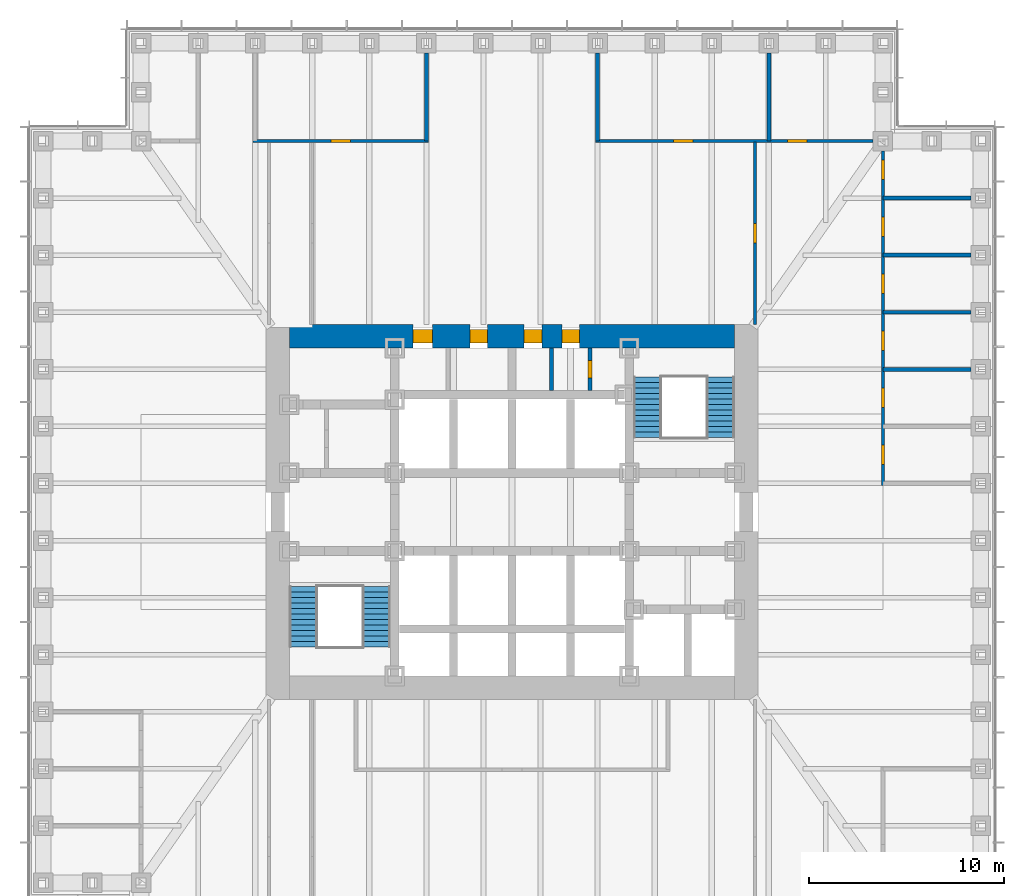
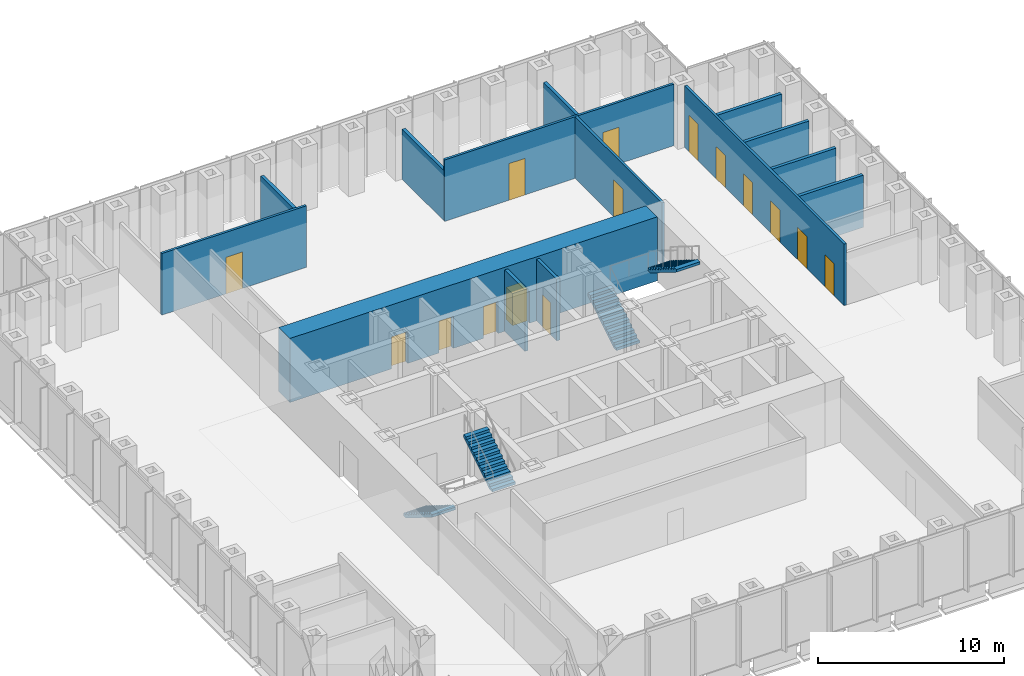
# One storey, part 10 of 16: 15 doors, 14 walls, 4 stair flights, 15 openings, 2 elements without a shape of their own.
"""IFC4 building model written with IfcOpenShell, lengths in metres."""

from ifc_helpers import new_model, si_unit, direction, frame, frame_2d, origin, place, context, subcontext, project, spatial, polyline, rectangle, outline, extrude, material, layer, layer_set, type_object, element, fill, aggregate, save


model = new_model("IFC4")

# Units and contexts
model_context = context("Model", 3, precision=1e-05, world=origin(), true_north=direction((0.0, 1.0)))
body_context = subcontext(model_context, "Body", "Model", "MODEL_VIEW")
ifc_project = project(units=[si_unit("LENGTHUNIT", "METRE"), si_unit("AREAUNIT", "SQUARE_METRE"), si_unit("VOLUMEUNIT", "CUBIC_METRE"), si_unit("PLANEANGLEUNIT", "RADIAN"), si_unit("MASSUNIT", "GRAM", prefix="KILO")], contexts=[model_context])

# Site, building, storey
site_placement = place(None, origin())
site = spatial("IfcSite", under=ifc_project, at=site_placement, CompositionType="ELEMENT")
building_placement = place(site_placement, origin())
building = spatial("IfcBuilding", under=site, at=building_placement, Name="Daluyong Arena Tower", CompositionType="ELEMENT")
storey_placement = place(building_placement, frame((0.0, 0.0, 51.699951171875)))
storey = spatial("IfcBuildingStorey", under=building, at=storey_placement, Name="L10", CompositionType="ELEMENT", Elevation=51.699951171875)

# Wall, openings, doors
ifc_material_1 = material(Name="Concrete fc' 60 MPa", Category="concrete")
ifc_layer_1 = layer(ifc_material_1, 1.199951171875)
ifc_layer_set_1 = layer_set([ifc_layer_1], Name="Concrete fc' 60 MPa")
wall_type_1 = type_object("IfcWallType", Name="Core wall 1200", PredefinedType="SHEAR", material=ifc_layer_set_1)
wall_1_placement = place(storey_placement, frame((44.60009765625, 89.0, 0.0), z_axis=(0.0, 0.0, 1.0), x_axis=(1.0, 0.0, 0.0)))
wall_1 = element("IfcWall", 1, at=wall_1_placement, inside=storey, type_object=wall_type_1, Name="core wall at L10", PredefinedType="SHEAR", context=body_context, shape_type="SweptSolid", body=[
    extrude(rectangle(XDim=22.7998046875, YDim=1.199951171875, at=frame_2d((11.39990234375, 0.0))), origin(), (0.0, 0.0, 1.0), 4.199951171875),
])
opening_1_placement = place(wall_1_placement, frame((6.324951171875, 0.0, 0.0)))
opening_1 = element("IfcOpeningElement", 2, at=opening_1_placement, cuts=wall_1, Name="Opening 10004", PredefinedType="OPENING", context=body_context, shape_type="SweptSolid", body=[
    extrude(rectangle(XDim=1.0, YDim=2.10009765625, at=frame_2d((0.5, 1.050048828125))), frame((0.0, 0.60986328125, 0.0), z_axis=(0.0, -1.0, 0.0), x_axis=(1.0, 0.0, 0.0)), (0.0, 0.0, 1.0), 1.219970703125),
])
opening_2_placement = place(wall_1_placement, frame((9.25, 0.0, 0.0)))
opening_2 = element("IfcOpeningElement", 3, at=opening_2_placement, cuts=wall_1, Name="Opening 10005", PredefinedType="OPENING", context=body_context, shape_type="SweptSolid", body=[
    extrude(rectangle(XDim=0.89990234375, YDim=2.10009765625, at=frame_2d((0.449951171875, 1.050048828125))), frame((0.0, 0.60986328125, 0.0), z_axis=(0.0, -1.0, 0.0), x_axis=(1.0, 0.0, 0.0)), (0.0, 0.0, 1.0), 1.219970703125),
])
opening_3_placement = place(wall_1_placement, frame((12.02490234375, 0.0, 0.0)))
opening_3 = element("IfcOpeningElement", 4, at=opening_3_placement, cuts=wall_1, Name="Opening 10006", PredefinedType="OPENING", context=body_context, shape_type="SweptSolid", body=[
    extrude(rectangle(XDim=0.89990234375, YDim=2.10009765625, at=frame_2d((0.449951171875, 1.050048828125))), frame((0.0, 0.60986328125, 0.0), z_axis=(0.0, -1.0, 0.0), x_axis=(1.0, 0.0, 0.0)), (0.0, 0.0, 1.0), 1.219970703125),
])
opening_4_placement = place(wall_1_placement, frame((13.96240234375, 0.0, 0.0)))
opening_4 = element("IfcOpeningElement", 5, at=opening_4_placement, cuts=wall_1, Name="Opening 10007", PredefinedType="OPENING", context=body_context, shape_type="SweptSolid", body=[
    extrude(rectangle(XDim=0.89990234375, YDim=2.10009765625, at=frame_2d((0.449951171875, 1.050048828125))), frame((0.0, 0.60986328125, 0.0), z_axis=(0.0, -1.0, 0.0), x_axis=(1.0, 0.0, 0.0)), (0.0, 0.0, 1.0), 1.219970703125),
])
ifc_material_2 = material(Name="Timber door", Category="wood")
door_type_1 = type_object("IfcDoorType", Name="Accessible toilet door 1000", OperationType="SINGLE_SWING_LEFT", PredefinedType="DOOR", material=ifc_material_2)
door_1_placement = place(opening_1_placement, origin())
door_1 = element("IfcDoor", 6, at=door_1_placement, inside=storey, type_object=door_type_1, Name="accessible toilet door 10004", OperationType="SINGLE_SWING_LEFT", OverallHeight=2.10009765625, OverallWidth=1.0, PredefinedType="DOOR", context=body_context, shape_type="SweptSolid", body=[
    extrude(rectangle(XDim=1.0, YDim=2.10009765625, at=frame_2d((0.5, 1.050048828125))), frame((0.0, 0.35009765625, 0.0), z_axis=(0.0, -1.0, 0.0), x_axis=(1.0, 0.0, 0.0)), (0.0, 0.0, 1.0), 0.699951171875),
])
fill(opening_1, door_1)
ifc_material_3 = material(Name="Steel door, fire rated", Category="steel")
door_type_2 = type_object("IfcDoorType", Name="Core room door 900", OperationType="SINGLE_SWING_LEFT", PredefinedType="DOOR", material=ifc_material_3)
door_2_placement = place(opening_2_placement, origin())
door_2 = element("IfcDoor", 7, at=door_2_placement, inside=storey, type_object=door_type_2, Name="parcel room door 10005", OperationType="SINGLE_SWING_LEFT", OverallHeight=2.10009765625, OverallWidth=0.89990234375, PredefinedType="DOOR", context=body_context, shape_type="SweptSolid", body=[
    extrude(rectangle(XDim=0.89990234375, YDim=2.10009765625, at=frame_2d((0.449951171875, 1.050048828125))), frame((0.0, 0.35009765625, 0.0), z_axis=(0.0, -1.0, 0.0), x_axis=(1.0, 0.0, 0.0)), (0.0, 0.0, 1.0), 0.699951171875),
])
fill(opening_2, door_2)
door_3_placement = place(opening_4_placement, origin())
door_3 = element("IfcDoor", 8, at=door_3_placement, inside=storey, type_object=door_type_2, Name="staff pantry door 10007", OperationType="SINGLE_SWING_LEFT", OverallHeight=2.10009765625, OverallWidth=0.89990234375, PredefinedType="DOOR", context=body_context, shape_type="SweptSolid", body=[
    extrude(rectangle(XDim=0.89990234375, YDim=2.10009765625, at=frame_2d((0.449951171875, 1.050048828125))), frame((0.0, 0.35009765625, 0.0), z_axis=(0.0, -1.0, 0.0), x_axis=(1.0, 0.0, 0.0)), (0.0, 0.0, 1.0), 0.699951171875),
])
fill(opening_4, door_3)
ifc_material_4 = material(Name="Steel door, fire rated", Category="steel")
door_type_3 = type_object("IfcDoorType", Name="Core store door 900", OperationType="SINGLE_SWING_LEFT", PredefinedType="DOOR", material=ifc_material_4)
door_4_placement = place(opening_3_placement, origin())
door_4 = element("IfcDoor", 9, at=door_4_placement, inside=storey, type_object=door_type_3, Name="facilities store door 10006", OperationType="SINGLE_SWING_LEFT", OverallHeight=2.10009765625, OverallWidth=0.89990234375, PredefinedType="DOOR", context=body_context, shape_type="SweptSolid", body=[
    extrude(rectangle(XDim=0.89990234375, YDim=2.10009765625, at=frame_2d((0.449951171875, 1.050048828125))), frame((0.0, 0.35009765625, 0.0), z_axis=(0.0, -1.0, 0.0), x_axis=(1.0, 0.0, 0.0)), (0.0, 0.0, 1.0), 0.699951171875),
])
fill(opening_3, door_4)

# Wall, opening, door
ifc_material_5 = material(Name="Concrete block partition, fire rated", Category="concrete")
ifc_layer_2 = layer(ifc_material_5, 0.199951171875)
ifc_layer_set_2 = layer_set([ifc_layer_2], Name="Concrete block partition, fire rated")
wall_type_2 = type_object("IfcWallType", Name="Fire-rated partition 200", PredefinedType="PARTITIONING", material=ifc_layer_set_2)
wall_2_placement = place(storey_placement, frame((60.0, 86.22509765625, 0.0), z_axis=(0.0, 0.0, 1.0), x_axis=(0.0, 1.0, 0.0)))
wall_2 = element("IfcWall", 10, at=wall_2_placement, inside=storey, type_object=wall_type_2, Name="electrical riser enclosure at L10", PredefinedType="PARTITIONING", context=body_context, shape_type="SweptSolid", body=[
    extrude(rectangle(XDim=2.1748046875, YDim=0.199951171875, at=frame_2d((1.08740234375, 0.0))), origin(), (0.0, 0.0, 1.0), 4.0400390625),
])
opening_5_placement = place(wall_2_placement, frame((0.637451171875, 0.0, 0.0)))
opening_5 = element("IfcOpeningElement", 11, at=opening_5_placement, cuts=wall_2, Name="Opening 10008", PredefinedType="OPENING", context=body_context, shape_type="SweptSolid", body=[
    extrude(rectangle(XDim=0.89990234375, YDim=2.10009765625, at=frame_2d((0.449951171875, 1.050048828125))), frame((0.0, 0.10986328125, 0.0), z_axis=(0.0, -1.0, 0.0), x_axis=(1.0, 0.0, 0.0)), (0.0, 0.0, 1.0), 0.219970703125),
])
ifc_material_6 = material(Name="Steel door, fire rated", Category="steel")
door_type_4 = type_object("IfcDoorType", Name="Riser door 900", OperationType="SINGLE_SWING_LEFT", PredefinedType="DOOR", material=ifc_material_6)
door_5_placement = place(opening_5_placement, origin())
door_5 = element("IfcDoor", 12, at=door_5_placement, inside=storey, type_object=door_type_4, Name="riser door 10008", OperationType="SINGLE_SWING_LEFT", OverallHeight=2.10009765625, OverallWidth=0.89990234375, PredefinedType="DOOR", context=body_context, shape_type="SweptSolid", body=[
    extrude(rectangle(XDim=0.89990234375, YDim=2.10009765625, at=frame_2d((0.449951171875, 1.050048828125))), frame((0.0, 0.099609375, 0.0), z_axis=(0.0, -1.0, 0.0), x_axis=(1.0, 0.0, 0.0)), (0.0, 0.0, 1.0), 0.199462890625),
])
fill(opening_5, door_5)

# Wall
wall_3_placement = place(storey_placement, frame((58.02490234375, 86.22509765625, 0.0), z_axis=(0.0, 0.0, 1.0), x_axis=(0.0, 1.0, 0.0)))
element("IfcWall", 13, at=wall_3_placement, inside=storey, type_object=wall_type_2, Name="core room partition at L10", PredefinedType="PARTITIONING", context=body_context, shape_type="SweptSolid", body=[
    extrude(rectangle(XDim=2.1748046875, YDim=0.199951171875, at=frame_2d((1.08740234375, 0.0))), origin(), (0.0, 0.0, 1.0), 4.0400390625),
])

# Wall, opening, door
ifc_material_7 = material(Name="Glazed aluminium partition", Category="aluminium")
ifc_layer_3 = layer(ifc_material_7, 0.14990234375)
ifc_layer_set_3 = layer_set([ifc_layer_3], Name="Glazed aluminium partition")
wall_type_3 = type_object("IfcWallType", Name="Glazed partition 150", PredefinedType="PARTITIONING", material=ifc_layer_set_3)
wall_4_placement = place(storey_placement, frame((42.74609375, 99.0, 0.0), z_axis=(0.0, 0.0, 1.0), x_axis=(1.0, 0.0, 0.0)))
wall_4 = element("IfcWall", 14, at=wall_4_placement, inside=storey, type_object=wall_type_3, Name="glazed partition at L10", PredefinedType="PARTITIONING", context=body_context, shape_type="SweptSolid", body=[
    extrude(rectangle(XDim=8.96923828125, YDim=0.14990234375, at=frame_2d((4.484619140625, 0.0))), origin(), (0.0, 0.0, 1.0), 4.0400390625),
])
opening_6_placement = place(wall_4_placement, frame((3.984619140625, 0.0, 0.0)))
opening_6 = element("IfcOpeningElement", 15, at=opening_6_placement, cuts=wall_4, Name="Opening 10030", PredefinedType="OPENING", context=body_context, shape_type="SweptSolid", body=[
    extrude(rectangle(XDim=1.0, YDim=2.39990234375, at=frame_2d((0.5, 1.199951171875))), frame((0.0, 0.0849609375, 0.0), z_axis=(0.0, -1.0, 0.0), x_axis=(1.0, 0.0, 0.0)), (0.0, 0.0, 1.0), 0.169921875),
])
ifc_material_8 = material(Name="Glazed aluminium door", Category="aluminium")
door_type_5 = type_object("IfcDoorType", Name="Meeting room glazed door 1000", OperationType="SINGLE_SWING_RIGHT", PredefinedType="DOOR", material=ifc_material_8)
door_6_placement = place(opening_6_placement, origin())
door_6 = element("IfcDoor", 16, at=door_6_placement, inside=storey, type_object=door_type_5, Name="meeting room door 10030", OperationType="SINGLE_SWING_RIGHT", OverallHeight=2.39990234375, OverallWidth=1.0, PredefinedType="DOOR", context=body_context, shape_type="SweptSolid", body=[
    extrude(rectangle(XDim=1.0, YDim=2.39990234375, at=frame_2d((0.5, 1.199951171875))), frame((0.0, 0.07470703125, 0.0), z_axis=(0.0, -1.0, 0.0), x_axis=(1.0, 0.0, 0.0)), (0.0, 0.0, 1.0), 0.1494140625),
])
fill(opening_6, door_6)

# Wall, openings, doors
wall_5_placement = place(storey_placement, frame((60.28466796875, 99.0, 0.0), z_axis=(0.0, 0.0, 1.0), x_axis=(1.0, 0.0, 0.0)))
wall_5 = element("IfcWall", 17, at=wall_5_placement, inside=storey, type_object=wall_type_3, Name="glazed partition at L10", PredefinedType="PARTITIONING", context=body_context, shape_type="SweptSolid", body=[
    extrude(rectangle(XDim=14.21533203125, YDim=0.14990234375, at=frame_2d((7.107666015625, 0.0))), origin(), (0.0, 0.0, 1.0), 4.0400390625),
])
opening_7_placement = place(wall_5_placement, frame((3.984619140625, 0.0, 0.0)))
opening_7 = element("IfcOpeningElement", 18, at=opening_7_placement, cuts=wall_5, Name="Opening 10031", PredefinedType="OPENING", context=body_context, shape_type="SweptSolid", body=[
    extrude(rectangle(XDim=1.0, YDim=2.39990234375, at=frame_2d((0.5, 1.199951171875))), frame((0.0, 0.0849609375, 0.0), z_axis=(0.0, -1.0, 0.0), x_axis=(1.0, 0.0, 0.0)), (0.0, 0.0, 1.0), 0.169921875),
])
opening_8_placement = place(wall_5_placement, frame((9.830810546875, 0.0, 0.0)))
opening_8 = element("IfcOpeningElement", 19, at=opening_8_placement, cuts=wall_5, Name="Opening 10032", PredefinedType="OPENING", context=body_context, shape_type="SweptSolid", body=[
    extrude(rectangle(XDim=1.0, YDim=2.39990234375, at=frame_2d((0.5, 1.199951171875))), frame((0.0, 0.0849609375, 0.0), z_axis=(0.0, -1.0, 0.0), x_axis=(1.0, 0.0, 0.0)), (0.0, 0.0, 1.0), 0.169921875),
])
door_7_placement = place(opening_7_placement, origin())
door_7 = element("IfcDoor", 20, at=door_7_placement, inside=storey, type_object=door_type_5, Name="meeting room door 10031", OperationType="SINGLE_SWING_RIGHT", OverallHeight=2.39990234375, OverallWidth=1.0, PredefinedType="DOOR", context=body_context, shape_type="SweptSolid", body=[
    extrude(rectangle(XDim=1.0, YDim=2.39990234375, at=frame_2d((0.5, 1.199951171875))), frame((0.0, 0.07470703125, 0.0), z_axis=(0.0, -1.0, 0.0), x_axis=(1.0, 0.0, 0.0)), (0.0, 0.0, 1.0), 0.1494140625),
])
fill(opening_7, door_7)
door_8_placement = place(opening_8_placement, origin())
door_8 = element("IfcDoor", 21, at=door_8_placement, inside=storey, type_object=door_type_5, Name="meeting room door 10032", OperationType="SINGLE_SWING_RIGHT", OverallHeight=2.39990234375, OverallWidth=1.0, PredefinedType="DOOR", context=body_context, shape_type="SweptSolid", body=[
    extrude(rectangle(XDim=1.0, YDim=2.39990234375, at=frame_2d((0.5, 1.199951171875))), frame((0.0, 0.07470703125, 0.0), z_axis=(0.0, -1.0, 0.0), x_axis=(1.0, 0.0, 0.0)), (0.0, 0.0, 1.0), 0.1494140625),
])
fill(opening_8, door_8)

# Wall, opening, door
wall_6_placement = place(storey_placement, frame((68.449951171875, 89.60009765625, 0.0), z_axis=(0.0, 0.0, 1.0), x_axis=(0.0, 1.0, 0.0)))
wall_6 = element("IfcWall", 22, at=wall_6_placement, inside=storey, type_object=wall_type_3, Name="glazed partition at L10", PredefinedType="PARTITIONING", context=body_context, shape_type="SweptSolid", body=[
    extrude(rectangle(XDim=9.349853515625, YDim=0.14990234375, at=frame_2d((4.6748046875, 0.0))), origin(), (0.0, 0.0, 1.0), 4.0400390625),
])
opening_9_placement = place(wall_6_placement, frame((4.175048828125, 0.0, 0.0)))
opening_9 = element("IfcOpeningElement", 23, at=opening_9_placement, cuts=wall_6, Name="Opening 10040", PredefinedType="OPENING", context=body_context, shape_type="SweptSolid", body=[
    extrude(rectangle(XDim=1.0, YDim=2.39990234375, at=frame_2d((0.5, 1.199951171875))), frame((0.0, 0.0849609375, 0.0), z_axis=(0.0, -1.0, 0.0), x_axis=(1.0, 0.0, 0.0)), (0.0, 0.0, 1.0), 0.169921875),
])
door_9_placement = place(opening_9_placement, origin())
door_9 = element("IfcDoor", 24, at=door_9_placement, inside=storey, type_object=door_type_5, Name="team area screen door 10040", OperationType="SINGLE_SWING_RIGHT", OverallHeight=2.39990234375, OverallWidth=1.0, PredefinedType="DOOR", context=body_context, shape_type="SweptSolid", body=[
    extrude(rectangle(XDim=1.0, YDim=2.39990234375, at=frame_2d((0.5, 1.199951171875))), frame((0.0, 0.07470703125, 0.0), z_axis=(0.0, -1.0, 0.0), x_axis=(1.0, 0.0, 0.0)), (0.0, 0.0, 1.0), 0.1494140625),
])
fill(opening_9, door_9)

# Wall, openings, doors
wall_7_placement = place(storey_placement, frame((75.0, 81.361572265625, 0.0), z_axis=(0.0, 0.0, 1.0), x_axis=(0.0, 1.0, 0.0)))
wall_7 = element("IfcWall", 25, at=wall_7_placement, inside=storey, type_object=wall_type_3, Name="glazed partition at L10", PredefinedType="PARTITIONING", context=body_context, shape_type="SweptSolid", body=[
    extrude(rectangle(XDim=17.138427734375, YDim=0.14990234375, at=frame_2d((8.5693359375, 0.0))), origin(), (0.0, 0.0, 1.0), 4.0400390625),
])
opening_10_placement = place(wall_7_placement, frame((1.0615234375, 0.0, 0.0)))
opening_10 = element("IfcOpeningElement", 26, at=opening_10_placement, cuts=wall_7, Name="Opening 10023", PredefinedType="OPENING", context=body_context, shape_type="SweptSolid", body=[
    extrude(rectangle(XDim=1.0, YDim=2.10009765625, at=frame_2d((0.5, 1.050048828125))), frame((0.0, 0.0849609375, 0.0), z_axis=(0.0, -1.0, 0.0), x_axis=(1.0, 0.0, 0.0)), (0.0, 0.0, 1.0), 0.169921875),
])
opening_11_placement = place(wall_7_placement, frame((3.984619140625, 0.0, 0.0)))
opening_11 = element("IfcOpeningElement", 27, at=opening_11_placement, cuts=wall_7, Name="Opening 10024", PredefinedType="OPENING", context=body_context, shape_type="SweptSolid", body=[
    extrude(rectangle(XDim=1.0, YDim=2.10009765625, at=frame_2d((0.5, 1.050048828125))), frame((0.0, 0.0849609375, 0.0), z_axis=(0.0, -1.0, 0.0), x_axis=(1.0, 0.0, 0.0)), (0.0, 0.0, 1.0), 0.169921875),
])
opening_12_placement = place(wall_7_placement, frame((6.90771484375, 0.0, 0.0)))
opening_12 = element("IfcOpeningElement", 28, at=opening_12_placement, cuts=wall_7, Name="Opening 10025", PredefinedType="OPENING", context=body_context, shape_type="SweptSolid", body=[
    extrude(rectangle(XDim=1.0, YDim=2.10009765625, at=frame_2d((0.5, 1.050048828125))), frame((0.0, 0.0849609375, 0.0), z_axis=(0.0, -1.0, 0.0), x_axis=(1.0, 0.0, 0.0)), (0.0, 0.0, 1.0), 0.169921875),
])
opening_13_placement = place(wall_7_placement, frame((9.830810546875, 0.0, 0.0)))
opening_13 = element("IfcOpeningElement", 29, at=opening_13_placement, cuts=wall_7, Name="Opening 10026", PredefinedType="OPENING", context=body_context, shape_type="SweptSolid", body=[
    extrude(rectangle(XDim=1.0, YDim=2.10009765625, at=frame_2d((0.5, 1.050048828125))), frame((0.0, 0.0849609375, 0.0), z_axis=(0.0, -1.0, 0.0), x_axis=(1.0, 0.0, 0.0)), (0.0, 0.0, 1.0), 0.169921875),
])
opening_14_placement = place(wall_7_placement, frame((12.75390625, 0.0, 0.0)))
opening_14 = element("IfcOpeningElement", 30, at=opening_14_placement, cuts=wall_7, Name="Opening 10027", PredefinedType="OPENING", context=body_context, shape_type="SweptSolid", body=[
    extrude(rectangle(XDim=1.0, YDim=2.10009765625, at=frame_2d((0.5, 1.050048828125))), frame((0.0, 0.0849609375, 0.0), z_axis=(0.0, -1.0, 0.0), x_axis=(1.0, 0.0, 0.0)), (0.0, 0.0, 1.0), 0.169921875),
])
opening_15_placement = place(wall_7_placement, frame((15.677001953125, 0.0, 0.0)))
opening_15 = element("IfcOpeningElement", 31, at=opening_15_placement, cuts=wall_7, Name="Opening 10028", PredefinedType="OPENING", context=body_context, shape_type="SweptSolid", body=[
    extrude(rectangle(XDim=1.0, YDim=2.39990234375, at=frame_2d((0.5, 1.199951171875))), frame((0.0, 0.0849609375, 0.0), z_axis=(0.0, -1.0, 0.0), x_axis=(1.0, 0.0, 0.0)), (0.0, 0.0, 1.0), 0.169921875),
])
door_10_placement = place(opening_15_placement, origin())
door_10 = element("IfcDoor", 32, at=door_10_placement, inside=storey, type_object=door_type_5, Name="meeting room door 10028", OperationType="SINGLE_SWING_RIGHT", OverallHeight=2.39990234375, OverallWidth=1.0, PredefinedType="DOOR", context=body_context, shape_type="SweptSolid", body=[
    extrude(rectangle(XDim=1.0, YDim=2.39990234375, at=frame_2d((0.5, 1.199951171875))), frame((0.0, 0.07470703125, 0.0), z_axis=(0.0, -1.0, 0.0), x_axis=(1.0, 0.0, 0.0)), (0.0, 0.0, 1.0), 0.1494140625),
])
fill(opening_15, door_10)
ifc_material_9 = material(Name="Timber door", Category="wood")
door_type_6 = type_object("IfcDoorType", Name="Room door 1000", OperationType="SINGLE_SWING_LEFT", PredefinedType="DOOR", material=ifc_material_9)
door_11_placement = place(opening_10_placement, origin())
door_11 = element("IfcDoor", 33, at=door_11_placement, inside=storey, type_object=door_type_6, Name="office door 10023", OperationType="SINGLE_SWING_LEFT", OverallHeight=2.10009765625, OverallWidth=1.0, PredefinedType="DOOR", context=body_context, shape_type="SweptSolid", body=[
    extrude(rectangle(XDim=1.0, YDim=2.10009765625, at=frame_2d((0.5, 1.050048828125))), frame((0.0, 0.07470703125, 0.0), z_axis=(0.0, -1.0, 0.0), x_axis=(1.0, 0.0, 0.0)), (0.0, 0.0, 1.0), 0.1494140625),
])
fill(opening_10, door_11)
door_12_placement = place(opening_11_placement, origin())
door_12 = element("IfcDoor", 34, at=door_12_placement, inside=storey, type_object=door_type_6, Name="office door 10024", OperationType="SINGLE_SWING_LEFT", OverallHeight=2.10009765625, OverallWidth=1.0, PredefinedType="DOOR", context=body_context, shape_type="SweptSolid", body=[
    extrude(rectangle(XDim=1.0, YDim=2.10009765625, at=frame_2d((0.5, 1.050048828125))), frame((0.0, 0.07470703125, 0.0), z_axis=(0.0, -1.0, 0.0), x_axis=(1.0, 0.0, 0.0)), (0.0, 0.0, 1.0), 0.1494140625),
])
fill(opening_11, door_12)
door_13_placement = place(opening_12_placement, origin())
door_13 = element("IfcDoor", 35, at=door_13_placement, inside=storey, type_object=door_type_6, Name="office door 10025", OperationType="SINGLE_SWING_LEFT", OverallHeight=2.10009765625, OverallWidth=1.0, PredefinedType="DOOR", context=body_context, shape_type="SweptSolid", body=[
    extrude(rectangle(XDim=1.0, YDim=2.10009765625, at=frame_2d((0.5, 1.050048828125))), frame((0.0, 0.07470703125, 0.0), z_axis=(0.0, -1.0, 0.0), x_axis=(1.0, 0.0, 0.0)), (0.0, 0.0, 1.0), 0.1494140625),
])
fill(opening_12, door_13)
door_14_placement = place(opening_13_placement, origin())
door_14 = element("IfcDoor", 36, at=door_14_placement, inside=storey, type_object=door_type_6, Name="office door 10026", OperationType="SINGLE_SWING_LEFT", OverallHeight=2.10009765625, OverallWidth=1.0, PredefinedType="DOOR", context=body_context, shape_type="SweptSolid", body=[
    extrude(rectangle(XDim=1.0, YDim=2.10009765625, at=frame_2d((0.5, 1.050048828125))), frame((0.0, 0.07470703125, 0.0), z_axis=(0.0, -1.0, 0.0), x_axis=(1.0, 0.0, 0.0)), (0.0, 0.0, 1.0), 0.1494140625),
])
fill(opening_13, door_14)
door_15_placement = place(opening_14_placement, origin())
door_15 = element("IfcDoor", 37, at=door_15_placement, inside=storey, type_object=door_type_6, Name="office door 10027", OperationType="SINGLE_SWING_LEFT", OverallHeight=2.10009765625, OverallWidth=1.0, PredefinedType="DOOR", context=body_context, shape_type="SweptSolid", body=[
    extrude(rectangle(XDim=1.0, YDim=2.10009765625, at=frame_2d((0.5, 1.050048828125))), frame((0.0, 0.07470703125, 0.0), z_axis=(0.0, -1.0, 0.0), x_axis=(1.0, 0.0, 0.0)), (0.0, 0.0, 1.0), 0.1494140625),
])
fill(opening_14, door_15)

# Walls
ifc_material_10 = material(Name="Concrete block partition", Category="concrete")
ifc_layer_4 = layer(ifc_material_10, 0.199951171875)
ifc_layer_set_4 = layer_set([ifc_layer_4], Name="Concrete block partition")
wall_type_4 = type_object("IfcWallType", Name="Partition 200", PredefinedType="PARTITIONING", material=ifc_layer_set_4)
for number, where, z_axis, x_axis, name in (
    (38, (75.0, 87.3076171875, 0.0), (0.0, 0.0, 1.0), (1.0, 0.0, 0.0), "partition at L10"),
    (39, (75.0, 90.230712890625, 0.0), (0.0, 0.0, 1.0), (1.0, 0.0, 0.0), "partition at L10"),
    (40, (75.0, 93.15380859375, 0.0), (0.0, 0.0, 1.0), (1.0, 0.0, 0.0), "partition at L10"),
    (41, (75.0, 96.076904296875, 0.0), (0.0, 0.0, 1.0), (1.0, 0.0, 0.0), "partition at L10"),
):
    element("IfcWall", number, at=place(storey_placement, frame(where, z_axis=z_axis, x_axis=x_axis)), inside=storey, type_object=wall_type_4, Name=name, PredefinedType="PARTITIONING", context=body_context, shape_type="SweptSolid", body=[
        extrude(rectangle(XDim=4.5, YDim=0.199951171875, at=frame_2d((2.25, 0.0))), origin(), (0.0, 0.0, 1.0), 3.427978515625),
    ])
for number, where, z_axis, x_axis, name in (
    (42, (51.615478515625, 99.0, 0.0), (0.0, 0.0, 1.0), (0.0, 1.0, 0.0), "partition at L10"),
    (43, (60.384521484375, 99.0, 0.0), (0.0, 0.0, 1.0), (0.0, 1.0, 0.0), "partition at L10"),
    (44, (69.15380859375, 99.0, 0.0), (0.0, 0.0, 1.0), (0.0, 1.0, 0.0), "partition at L10"),
):
    element("IfcWall", number, at=place(storey_placement, frame(where, z_axis=z_axis, x_axis=x_axis)), inside=storey, type_object=wall_type_4, Name=name, PredefinedType="PARTITIONING", context=body_context, shape_type="SweptSolid", body=[
        extrude(rectangle(XDim=4.5, YDim=0.199951171875, at=frame_2d((2.25, 0.0))), origin(), (0.0, 0.0, 1.0), 3.278076171875),
    ])

# Stair, stair flights
ifc_material_11 = material(Name="Concrete fc' 35 MPa", Category="concrete")
stair_type = type_object("IfcStairType", Name="Core exit stair", PredefinedType="HALF_TURN_STAIR", material=ifc_material_11)
stair_1_placement = place(storey_placement, origin())
stair_1 = element("IfcStair", 45, at=stair_1_placement, inside=storey, type_object=stair_type, Name="exit stair A L10", PredefinedType="HALF_TURN_STAIR")
ifc_material_12 = material(Name="Concrete fc' 35 MPa", Category="concrete")
stair_flight_type = type_object("IfcStairFlightType", Name="Core stair flight", PredefinedType="STRAIGHT", material=ifc_material_12)
stair_flight_1_placement = place(storey_placement, frame((45.324951171875, 76.175048828125, 0.0), z_axis=(0.0, 0.0, 1.0), x_axis=(0.0, -1.0, 0.0)))
stair_flight_1 = element("IfcStairFlight", 46, at=stair_flight_1_placement, type_object=stair_flight_type, Name="STA flight 1", NumberOfRisers=12, NumberOfTreads=11, PredefinedType="STRAIGHT", RiserHeight=0.175, TreadLength=0.28, context=body_context, shape_type="SweptSolid", body=[
    extrude(outline(polyline([(0.0, 0.0), (0.0, 0.175048828125), (0.280029296875, 0.175048828125), (0.280029296875, 0.35009765625), (0.56005859375, 0.35009765625), (0.56005859375, 0.52490234375), (0.840087890625, 0.52490234375), (0.840087890625, 0.699951171875), (1.1201171875, 0.699951171875), (1.1201171875, 0.875), (1.39990234375, 0.875), (1.39990234375, 1.050048828125), (1.679931640625, 1.050048828125), (1.679931640625, 1.22509765625), (1.9599609375, 1.22509765625), (1.9599609375, 1.39990234375), (2.239990234375, 1.39990234375), (2.239990234375, 1.574951171875), (2.52001953125, 1.574951171875), (2.52001953125, 1.75), (2.800048828125, 1.75), (2.800048828125, 1.925048828125), (3.080078125, 1.925048828125), (3.080078125, 2.10009765625), (3.080078125, 1.748291015625), (0.28271484375, 0.0), (0.0, 0.0)])), frame((0.0, 0.72509765625, 0.0), z_axis=(0.0, -1.0, 0.0), x_axis=(1.0, 0.0, 0.0)), (0.0, 0.0, 1.0), 1.449951171875),
])
stair_flight_2_placement = place(storey_placement, frame((49.050048828125, 73.094970703125, 2.10009765625), z_axis=(0.0, 0.0, 1.0), x_axis=(0.0, 1.0, 0.0)))
stair_flight_2 = element("IfcStairFlight", 47, at=stair_flight_2_placement, type_object=stair_flight_type, Name="STA flight 2", NumberOfRisers=12, NumberOfTreads=11, PredefinedType="STRAIGHT", RiserHeight=0.175, TreadLength=0.28, context=body_context, shape_type="SweptSolid", body=[
    extrude(outline(polyline([(0.0, 0.0), (0.0, 0.175048828125), (0.280029296875, 0.175048828125), (0.280029296875, 0.35009765625), (0.56005859375, 0.35009765625), (0.56005859375, 0.52490234375), (0.840087890625, 0.52490234375), (0.840087890625, 0.699951171875), (1.1201171875, 0.699951171875), (1.1201171875, 0.875), (1.39990234375, 0.875), (1.39990234375, 1.050048828125), (1.679931640625, 1.050048828125), (1.679931640625, 1.22509765625), (1.9599609375, 1.22509765625), (1.9599609375, 1.39990234375), (2.239990234375, 1.39990234375), (2.239990234375, 1.574951171875), (2.52001953125, 1.574951171875), (2.52001953125, 1.75), (2.800048828125, 1.75), (2.800048828125, 1.925048828125), (3.080078125, 1.925048828125), (3.080078125, 2.10009765625), (3.080078125, 1.748291015625), (0.28271484375, 0.0), (0.0, 0.0)])), frame((0.0, 0.72509765625, 0.0), z_axis=(0.0, -1.0, 0.0), x_axis=(1.0, 0.0, 0.0)), (0.0, 0.0, 1.0), 1.449951171875),
])
aggregate(stair_1, [stair_flight_1, stair_flight_2])

stair_2_placement = place(storey_placement, origin())
stair_2 = element("IfcStair", 48, at=stair_2_placement, inside=storey, type_object=stair_type, Name="exit stair B L10", PredefinedType="HALF_TURN_STAIR")
stair_flight_3_placement = place(storey_placement, frame((62.949951171875, 83.824951171875, 0.0), z_axis=(0.0, 0.0, 1.0), x_axis=(0.0, 1.0, 0.0)))
stair_flight_3 = element("IfcStairFlight", 49, at=stair_flight_3_placement, type_object=stair_flight_type, Name="STB flight 1", NumberOfRisers=12, NumberOfTreads=11, PredefinedType="STRAIGHT", RiserHeight=0.175, TreadLength=0.28, context=body_context, shape_type="SweptSolid", body=[
    extrude(outline(polyline([(0.0, 0.0), (0.0, 0.175048828125), (0.280029296875, 0.175048828125), (0.280029296875, 0.35009765625), (0.56005859375, 0.35009765625), (0.56005859375, 0.52490234375), (0.840087890625, 0.52490234375), (0.840087890625, 0.699951171875), (1.1201171875, 0.699951171875), (1.1201171875, 0.875), (1.39990234375, 0.875), (1.39990234375, 1.050048828125), (1.679931640625, 1.050048828125), (1.679931640625, 1.22509765625), (1.9599609375, 1.22509765625), (1.9599609375, 1.39990234375), (2.239990234375, 1.39990234375), (2.239990234375, 1.574951171875), (2.52001953125, 1.574951171875), (2.52001953125, 1.75), (2.800048828125, 1.75), (2.800048828125, 1.925048828125), (3.080078125, 1.925048828125), (3.080078125, 2.10009765625), (3.080078125, 1.748291015625), (0.28271484375, 0.0), (0.0, 0.0)])), frame((0.0, 0.72509765625, 0.0), z_axis=(0.0, -1.0, 0.0), x_axis=(1.0, 0.0, 0.0)), (0.0, 0.0, 1.0), 1.449951171875),
])
stair_flight_4_placement = place(storey_placement, frame((66.675048828125, 86.905029296875, 2.10009765625), z_axis=(0.0, 0.0, 1.0), x_axis=(0.0, -1.0, 0.0)))
stair_flight_4 = element("IfcStairFlight", 50, at=stair_flight_4_placement, type_object=stair_flight_type, Name="STB flight 2", NumberOfRisers=12, NumberOfTreads=11, PredefinedType="STRAIGHT", RiserHeight=0.175, TreadLength=0.28, context=body_context, shape_type="SweptSolid", body=[
    extrude(outline(polyline([(0.0, 0.0), (0.0, 0.175048828125), (0.280029296875, 0.175048828125), (0.280029296875, 0.35009765625), (0.56005859375, 0.35009765625), (0.56005859375, 0.52490234375), (0.840087890625, 0.52490234375), (0.840087890625, 0.699951171875), (1.1201171875, 0.699951171875), (1.1201171875, 0.875), (1.39990234375, 0.875), (1.39990234375, 1.050048828125), (1.679931640625, 1.050048828125), (1.679931640625, 1.22509765625), (1.9599609375, 1.22509765625), (1.9599609375, 1.39990234375), (2.239990234375, 1.39990234375), (2.239990234375, 1.574951171875), (2.52001953125, 1.574951171875), (2.52001953125, 1.75), (2.800048828125, 1.75), (2.800048828125, 1.925048828125), (3.080078125, 1.925048828125), (3.080078125, 2.10009765625), (3.080078125, 1.748291015625), (0.28271484375, 0.0), (0.0, 0.0)])), frame((0.0, 0.72509765625, 0.0), z_axis=(0.0, -1.0, 0.0), x_axis=(1.0, 0.0, 0.0)), (0.0, 0.0, 1.0), 1.449951171875),
])
aggregate(stair_2, [stair_flight_3, stair_flight_4])

save(model, "model.ifc")
